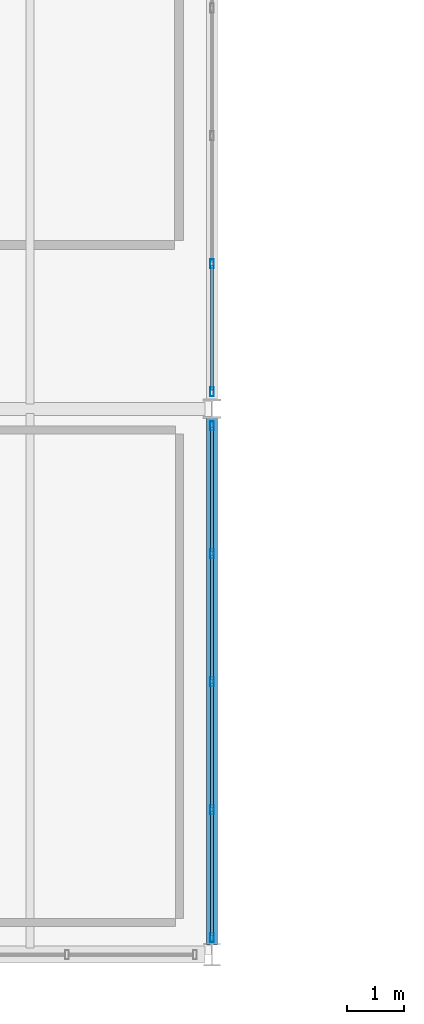
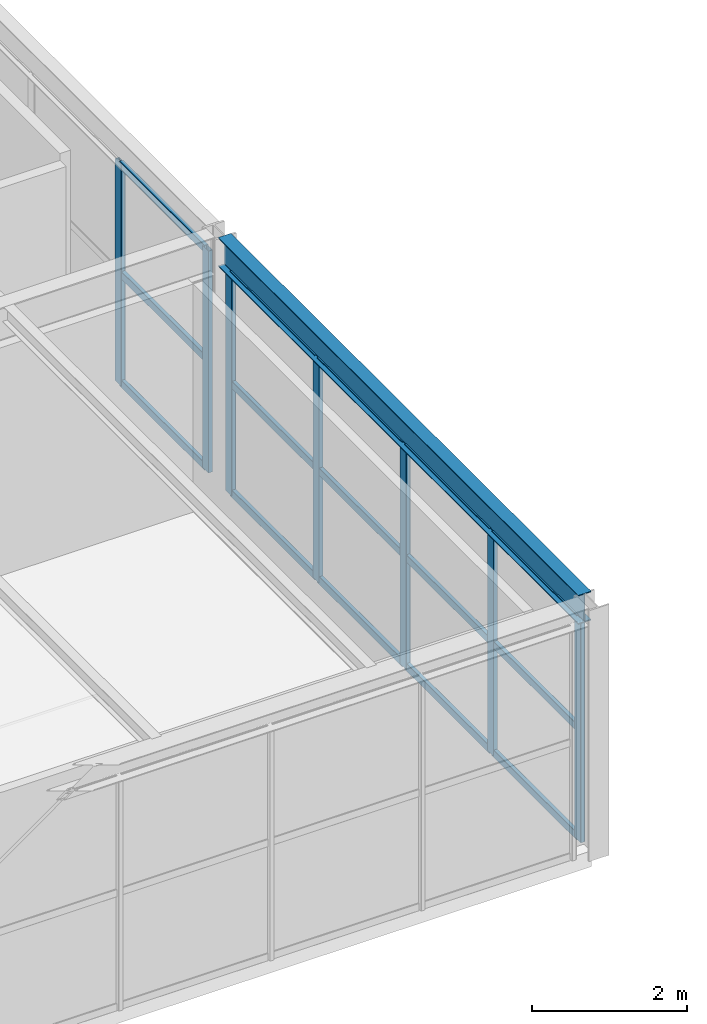
# One storey, part 53 of 126: 22 members, 1 beam, 2 elements without a shape of their own.
"""IFC4 building model written with IfcOpenShell, lengths in metres."""

from ifc_helpers import new_model, si_unit, direction, frame, origin, origin_2d, place, context, subcontext, project, spatial, hollow_rectangle, i_section, extrude, material, material_profile, profile_set, type_object, element, aggregate, save


model = new_model("IFC4")

# Units and contexts
model_context = context("Model", 3, precision=1e-05, world=origin(), true_north=direction((0.0, 1.0)))
body_context = subcontext(model_context, "Body", "Model", "MODEL_VIEW")
ifc_project = project(units=[si_unit("LENGTHUNIT", "METRE"), si_unit("AREAUNIT", "SQUARE_METRE"), si_unit("VOLUMEUNIT", "CUBIC_METRE"), si_unit("PLANEANGLEUNIT", "RADIAN"), si_unit("MASSUNIT", "GRAM", prefix="KILO")], contexts=[model_context])

# Site, building, storey
site_placement = place(None, origin())
site = spatial("IfcSite", under=ifc_project, at=site_placement, CompositionType="ELEMENT")
building_placement = place(site_placement, origin())
building = spatial("IfcBuilding", under=site, at=building_placement, Name="Coralgate Yard Interchange", CompositionType="ELEMENT")
storey_placement = place(building_placement, frame((0.0, 0.0, 10.5)))
storey = spatial("IfcBuildingStorey", under=building, at=storey_placement, Name="L02", CompositionType="ELEMENT", Elevation=10.5)

# Beam
ifc_material_1 = material(Name="Structural steel S355J2", Category="steel")
ifc_material_profile_1 = material_profile(ifc_material_1, i_section(OverallWidth=0.1904296875, OverallDepth=0.45703125, WebThickness=0.009033203125, FlangeThickness=0.014404296875, FilletRadius=0.01025390625, at=origin_2d()), Name="UB 457x191x74")
ifc_profile_set_1 = profile_set([ifc_material_profile_1], Name="Structural steel S355J2")
beam_type = type_object("IfcBeamType", Name="BM-SB-2", PredefinedType="BEAM", material=ifc_profile_set_1)
beam_placement = place(storey_placement, frame((96.0, 0.169921875, 3.721435546875), z_axis=(0.0, 1.0, 0.0), x_axis=(-1.0, 0.0, 0.0)))
element("IfcBeam", 1, at=beam_placement, inside=storey, type_object=beam_type, Name="L02 primary grid girder X10 Y0-1", PredefinedType="BEAM", context=body_context, shape_type="SweptSolid", body=[
    extrude(i_section(OverallWidth=0.1904296875, OverallDepth=0.45703125, WebThickness=0.009033203125, FlangeThickness=0.014404296875, FilletRadius=0.01025390625, at=origin_2d()), origin(), (0.0, 0.0, 1.0), 9.2900390625),
])

# Curtain wall, members
ifc_material_2 = material(Name="Anodised coastal aluminium and solar-control low-E glass", Category="aluminium")
curtain_wall_type = type_object("IfcCurtainWallType", Name="CW-CW-L02-A", PredefinedType="NOTDEFINED", material=ifc_material_2)
curtain_wall_1_placement = place(storey_placement, origin())
curtain_wall_1 = element("IfcCurtainWall", 2, at=curtain_wall_1_placement, inside=storey, type_object=curtain_wall_type, Name="L02 unitised curtain wall CW-L02-E-09-00", PredefinedType="NOTDEFINED")
ifc_material_3 = material(Name="Anodised coastal aluminium 6063-T6", Category="aluminium")
ifc_material_profile_2 = material_profile(ifc_material_3, hollow_rectangle(XDim=0.06494140625, YDim=0.159912109375, WallThickness=0.00390625, InnerFilletRadius=0.00390625, OuterFilletRadius=0.008056640625, at=origin_2d()), Name="ALU 65x160x4")
ifc_profile_set_2 = profile_set([ifc_material_profile_2], Name="Anodised coastal aluminium 6063-T6")
member_type_1 = type_object("IfcMemberType", Name="MB-MUL-160", PredefinedType="MULLION", material=ifc_profile_set_2)
member_1_placement = place(storey_placement, frame((96.0, 9.300048828125, 0.0), z_axis=(0.0, 0.0, 1.0), x_axis=(1.0, 0.0, 0.0)))
member_1 = element("IfcMember", 3, at=member_1_placement, type_object=member_type_1, Name="CW-L02-E-09-00 vertical mullion 1", PredefinedType="MULLION", context=body_context, shape_type="SweptSolid", body=[
    extrude(hollow_rectangle(XDim=0.06494140625, YDim=0.159912109375, WallThickness=0.00390625, InnerFilletRadius=0.00390625, OuterFilletRadius=0.008056640625, at=origin_2d()), origin(), (0.0, 0.0, 1.0), 3.492919921875),
])
member_2_placement = place(storey_placement, frame((96.0, 7.050048828125, 0.0), z_axis=(0.0, 0.0, 1.0), x_axis=(1.0, 0.0, 0.0)))
member_2 = element("IfcMember", 4, at=member_2_placement, type_object=member_type_1, Name="CW-L02-E-09-00 vertical mullion 2", PredefinedType="MULLION", context=body_context, shape_type="SweptSolid", body=[
    extrude(hollow_rectangle(XDim=0.06494140625, YDim=0.159912109375, WallThickness=0.00390625, InnerFilletRadius=0.00390625, OuterFilletRadius=0.008056640625, at=origin_2d()), origin(), (0.0, 0.0, 1.0), 3.492919921875),
])
member_3_placement = place(storey_placement, frame((96.0, 4.800048828125, 0.0), z_axis=(0.0, 0.0, 1.0), x_axis=(1.0, 0.0, 0.0)))
member_3 = element("IfcMember", 5, at=member_3_placement, type_object=member_type_1, Name="CW-L02-E-09-00 vertical mullion 3", PredefinedType="MULLION", context=body_context, shape_type="SweptSolid", body=[
    extrude(hollow_rectangle(XDim=0.06494140625, YDim=0.159912109375, WallThickness=0.00390625, InnerFilletRadius=0.00390625, OuterFilletRadius=0.008056640625, at=origin_2d()), origin(), (0.0, 0.0, 1.0), 3.492919921875),
])
member_4_placement = place(storey_placement, frame((96.0, 2.550048828125, 0.0), z_axis=(0.0, 0.0, 1.0), x_axis=(1.0, 0.0, 0.0)))
member_4 = element("IfcMember", 6, at=member_4_placement, type_object=member_type_1, Name="CW-L02-E-09-00 vertical mullion 4", PredefinedType="MULLION", context=body_context, shape_type="SweptSolid", body=[
    extrude(hollow_rectangle(XDim=0.06494140625, YDim=0.159912109375, WallThickness=0.00390625, InnerFilletRadius=0.00390625, OuterFilletRadius=0.008056640625, at=origin_2d()), origin(), (0.0, 0.0, 1.0), 3.492919921875),
])
member_5_placement = place(storey_placement, frame((96.0, 0.300048828125, 0.0), z_axis=(0.0, 0.0, 1.0), x_axis=(1.0, 0.0, 0.0)))
member_5 = element("IfcMember", 7, at=member_5_placement, type_object=member_type_1, Name="CW-L02-E-09-00 vertical mullion 5", PredefinedType="MULLION", context=body_context, shape_type="SweptSolid", body=[
    extrude(hollow_rectangle(XDim=0.06494140625, YDim=0.159912109375, WallThickness=0.00390625, InnerFilletRadius=0.00390625, OuterFilletRadius=0.008056640625, at=origin_2d()), origin(), (0.0, 0.0, 1.0), 3.492919921875),
])

curtain_wall_2_placement = place(storey_placement, origin())
curtain_wall_2 = element("IfcCurtainWall", 8, at=curtain_wall_2_placement, inside=storey, type_object=curtain_wall_type, Name="L02 unitised curtain wall CW-L02-E-09-01", PredefinedType="NOTDEFINED")
member_6_placement = place(storey_placement, frame((96.0, 12.14990234375, 0.0), z_axis=(0.0, 0.0, 1.0), x_axis=(1.0, 0.0, 0.0)))
member_6 = element("IfcMember", 9, at=member_6_placement, type_object=member_type_1, Name="CW-L02-E-09-01 vertical mullion 4", PredefinedType="MULLION", context=body_context, shape_type="SweptSolid", body=[
    extrude(hollow_rectangle(XDim=0.06494140625, YDim=0.159912109375, WallThickness=0.00390625, InnerFilletRadius=0.00390625, OuterFilletRadius=0.008056640625, at=origin_2d()), origin(), (0.0, 0.0, 1.0), 3.492919921875),
])
member_7_placement = place(storey_placement, frame((96.0, 9.89990234375, 0.0), z_axis=(0.0, 0.0, 1.0), x_axis=(1.0, 0.0, 0.0)))
member_7 = element("IfcMember", 10, at=member_7_placement, type_object=member_type_1, Name="CW-L02-E-09-01 vertical mullion 5", PredefinedType="MULLION", context=body_context, shape_type="SweptSolid", body=[
    extrude(hollow_rectangle(XDim=0.06494140625, YDim=0.159912109375, WallThickness=0.00390625, InnerFilletRadius=0.00390625, OuterFilletRadius=0.008056640625, at=origin_2d()), origin(), (0.0, 0.0, 1.0), 3.492919921875),
])

# Member
ifc_material_profile_3 = material_profile(ifc_material_3, hollow_rectangle(XDim=0.06005859375, YDim=0.1201171875, WallThickness=0.00341796875, InnerFilletRadius=0.00341796875, OuterFilletRadius=0.007080078125, at=origin_2d()), Name="ALU 60x120x3.5")
ifc_profile_set_3 = profile_set([ifc_material_profile_3], Name="Anodised coastal aluminium 6063-T6")
member_type_2 = type_object("IfcMemberType", Name="MB-TRN-120", PredefinedType="USERDEFINED", material=ifc_profile_set_3)
member_8_placement = place(storey_placement, frame((96.0, 9.27001953125, 0.034912109375), z_axis=(0.0, -1.0, 0.0), x_axis=(1.0, 0.0, 0.0)))
member_8 = element("IfcMember", 11, at=member_8_placement, type_object=member_type_2, Name="CW-L02-E-09-00 horizontal transom 1-1", ObjectType="TRANSOM", PredefinedType="USERDEFINED", context=body_context, shape_type="SweptSolid", body=[
    extrude(hollow_rectangle(XDim=0.06005859375, YDim=0.1201171875, WallThickness=0.00341796875, InnerFilletRadius=0.00341796875, OuterFilletRadius=0.007080078125, at=origin_2d()), origin(), (0.0, 0.0, 1.0), 2.18994140625),
])

member_9_placement = place(storey_placement, frame((96.0, 9.27001953125, 1.74658203125), z_axis=(0.0, -1.0, 0.0), x_axis=(1.0, 0.0, 0.0)))
member_9 = element("IfcMember", 12, at=member_9_placement, type_object=member_type_2, Name="CW-L02-E-09-00 horizontal transom 1-2", ObjectType="TRANSOM", PredefinedType="USERDEFINED", context=body_context, shape_type="SweptSolid", body=[
    extrude(hollow_rectangle(XDim=0.06005859375, YDim=0.1201171875, WallThickness=0.00341796875, InnerFilletRadius=0.00341796875, OuterFilletRadius=0.007080078125, at=origin_2d()), origin(), (0.0, 0.0, 1.0), 2.18994140625),
])

member_10_placement = place(storey_placement, frame((96.0, 9.27001953125, 3.4580078125), z_axis=(0.0, -1.0, 0.0), x_axis=(1.0, 0.0, 0.0)))
member_10 = element("IfcMember", 13, at=member_10_placement, type_object=member_type_2, Name="CW-L02-E-09-00 horizontal transom 1-3", ObjectType="TRANSOM", PredefinedType="USERDEFINED", context=body_context, shape_type="SweptSolid", body=[
    extrude(hollow_rectangle(XDim=0.06005859375, YDim=0.1201171875, WallThickness=0.00341796875, InnerFilletRadius=0.00341796875, OuterFilletRadius=0.007080078125, at=origin_2d()), origin(), (0.0, 0.0, 1.0), 2.18994140625),
])

member_11_placement = place(storey_placement, frame((96.0, 7.02001953125, 0.034912109375), z_axis=(0.0, -1.0, 0.0), x_axis=(1.0, 0.0, 0.0)))
member_11 = element("IfcMember", 14, at=member_11_placement, type_object=member_type_2, Name="CW-L02-E-09-00 horizontal transom 2-1", ObjectType="TRANSOM", PredefinedType="USERDEFINED", context=body_context, shape_type="SweptSolid", body=[
    extrude(hollow_rectangle(XDim=0.06005859375, YDim=0.1201171875, WallThickness=0.00341796875, InnerFilletRadius=0.00341796875, OuterFilletRadius=0.007080078125, at=origin_2d()), origin(), (0.0, 0.0, 1.0), 2.18994140625),
])

member_12_placement = place(storey_placement, frame((96.0, 7.02001953125, 1.74658203125), z_axis=(0.0, -1.0, 0.0), x_axis=(1.0, 0.0, 0.0)))
member_12 = element("IfcMember", 15, at=member_12_placement, type_object=member_type_2, Name="CW-L02-E-09-00 horizontal transom 2-2", ObjectType="TRANSOM", PredefinedType="USERDEFINED", context=body_context, shape_type="SweptSolid", body=[
    extrude(hollow_rectangle(XDim=0.06005859375, YDim=0.1201171875, WallThickness=0.00341796875, InnerFilletRadius=0.00341796875, OuterFilletRadius=0.007080078125, at=origin_2d()), origin(), (0.0, 0.0, 1.0), 2.18994140625),
])

member_13_placement = place(storey_placement, frame((96.0, 7.02001953125, 3.4580078125), z_axis=(0.0, -1.0, 0.0), x_axis=(1.0, 0.0, 0.0)))
member_13 = element("IfcMember", 16, at=member_13_placement, type_object=member_type_2, Name="CW-L02-E-09-00 horizontal transom 2-3", ObjectType="TRANSOM", PredefinedType="USERDEFINED", context=body_context, shape_type="SweptSolid", body=[
    extrude(hollow_rectangle(XDim=0.06005859375, YDim=0.1201171875, WallThickness=0.00341796875, InnerFilletRadius=0.00341796875, OuterFilletRadius=0.007080078125, at=origin_2d()), origin(), (0.0, 0.0, 1.0), 2.18994140625),
])

member_14_placement = place(storey_placement, frame((96.0, 4.77001953125, 0.034912109375), z_axis=(0.0, -1.0, 0.0), x_axis=(1.0, 0.0, 0.0)))
member_14 = element("IfcMember", 17, at=member_14_placement, type_object=member_type_2, Name="CW-L02-E-09-00 horizontal transom 3-1", ObjectType="TRANSOM", PredefinedType="USERDEFINED", context=body_context, shape_type="SweptSolid", body=[
    extrude(hollow_rectangle(XDim=0.06005859375, YDim=0.1201171875, WallThickness=0.00341796875, InnerFilletRadius=0.00341796875, OuterFilletRadius=0.007080078125, at=origin_2d()), origin(), (0.0, 0.0, 1.0), 2.18994140625),
])

member_15_placement = place(storey_placement, frame((96.0, 4.77001953125, 1.74658203125), z_axis=(0.0, -1.0, 0.0), x_axis=(1.0, 0.0, 0.0)))
member_15 = element("IfcMember", 18, at=member_15_placement, type_object=member_type_2, Name="CW-L02-E-09-00 horizontal transom 3-2", ObjectType="TRANSOM", PredefinedType="USERDEFINED", context=body_context, shape_type="SweptSolid", body=[
    extrude(hollow_rectangle(XDim=0.06005859375, YDim=0.1201171875, WallThickness=0.00341796875, InnerFilletRadius=0.00341796875, OuterFilletRadius=0.007080078125, at=origin_2d()), origin(), (0.0, 0.0, 1.0), 2.18994140625),
])

member_16_placement = place(storey_placement, frame((96.0, 4.77001953125, 3.4580078125), z_axis=(0.0, -1.0, 0.0), x_axis=(1.0, 0.0, 0.0)))
member_16 = element("IfcMember", 19, at=member_16_placement, type_object=member_type_2, Name="CW-L02-E-09-00 horizontal transom 3-3", ObjectType="TRANSOM", PredefinedType="USERDEFINED", context=body_context, shape_type="SweptSolid", body=[
    extrude(hollow_rectangle(XDim=0.06005859375, YDim=0.1201171875, WallThickness=0.00341796875, InnerFilletRadius=0.00341796875, OuterFilletRadius=0.007080078125, at=origin_2d()), origin(), (0.0, 0.0, 1.0), 2.18994140625),
])

member_17_placement = place(storey_placement, frame((96.0, 2.52001953125, 0.034912109375), z_axis=(0.0, -1.0, 0.0), x_axis=(1.0, 0.0, 0.0)))
member_17 = element("IfcMember", 20, at=member_17_placement, type_object=member_type_2, Name="CW-L02-E-09-00 horizontal transom 4-1", ObjectType="TRANSOM", PredefinedType="USERDEFINED", context=body_context, shape_type="SweptSolid", body=[
    extrude(hollow_rectangle(XDim=0.06005859375, YDim=0.1201171875, WallThickness=0.00341796875, InnerFilletRadius=0.00341796875, OuterFilletRadius=0.007080078125, at=origin_2d()), origin(), (0.0, 0.0, 1.0), 2.18994140625),
])

member_18_placement = place(storey_placement, frame((96.0, 2.52001953125, 1.74658203125), z_axis=(0.0, -1.0, 0.0), x_axis=(1.0, 0.0, 0.0)))
member_18 = element("IfcMember", 21, at=member_18_placement, type_object=member_type_2, Name="CW-L02-E-09-00 horizontal transom 4-2", ObjectType="TRANSOM", PredefinedType="USERDEFINED", context=body_context, shape_type="SweptSolid", body=[
    extrude(hollow_rectangle(XDim=0.06005859375, YDim=0.1201171875, WallThickness=0.00341796875, InnerFilletRadius=0.00341796875, OuterFilletRadius=0.007080078125, at=origin_2d()), origin(), (0.0, 0.0, 1.0), 2.18994140625),
])

member_19_placement = place(storey_placement, frame((96.0, 2.52001953125, 3.4580078125), z_axis=(0.0, -1.0, 0.0), x_axis=(1.0, 0.0, 0.0)))
member_19 = element("IfcMember", 22, at=member_19_placement, type_object=member_type_2, Name="CW-L02-E-09-00 horizontal transom 4-3", ObjectType="TRANSOM", PredefinedType="USERDEFINED", context=body_context, shape_type="SweptSolid", body=[
    extrude(hollow_rectangle(XDim=0.06005859375, YDim=0.1201171875, WallThickness=0.00341796875, InnerFilletRadius=0.00341796875, OuterFilletRadius=0.007080078125, at=origin_2d()), origin(), (0.0, 0.0, 1.0), 2.18994140625),
])

aggregate(curtain_wall_1, [member_1, member_2, member_3, member_4, member_5, member_8, member_9, member_10, member_11, member_12, member_13, member_14, member_15, member_16, member_17, member_18, member_19])

member_20_placement = place(storey_placement, frame((96.0, 12.1201171875, 0.034912109375), z_axis=(0.0, -1.0, 0.0), x_axis=(1.0, 0.0, 0.0)))
member_20 = element("IfcMember", 23, at=member_20_placement, type_object=member_type_2, Name="CW-L02-E-09-01 horizontal transom 4-1", ObjectType="TRANSOM", PredefinedType="USERDEFINED", context=body_context, shape_type="SweptSolid", body=[
    extrude(hollow_rectangle(XDim=0.06005859375, YDim=0.1201171875, WallThickness=0.00341796875, InnerFilletRadius=0.00341796875, OuterFilletRadius=0.007080078125, at=origin_2d()), origin(), (0.0, 0.0, 1.0), 2.190185546875),
])

member_21_placement = place(storey_placement, frame((96.0, 12.1201171875, 1.74658203125), z_axis=(0.0, -1.0, 0.0), x_axis=(1.0, 0.0, 0.0)))
member_21 = element("IfcMember", 24, at=member_21_placement, type_object=member_type_2, Name="CW-L02-E-09-01 horizontal transom 4-2", ObjectType="TRANSOM", PredefinedType="USERDEFINED", context=body_context, shape_type="SweptSolid", body=[
    extrude(hollow_rectangle(XDim=0.06005859375, YDim=0.1201171875, WallThickness=0.00341796875, InnerFilletRadius=0.00341796875, OuterFilletRadius=0.007080078125, at=origin_2d()), origin(), (0.0, 0.0, 1.0), 2.190185546875),
])

member_22_placement = place(storey_placement, frame((96.0, 12.1201171875, 3.4580078125), z_axis=(0.0, -1.0, 0.0), x_axis=(1.0, 0.0, 0.0)))
member_22 = element("IfcMember", 25, at=member_22_placement, type_object=member_type_2, Name="CW-L02-E-09-01 horizontal transom 4-3", ObjectType="TRANSOM", PredefinedType="USERDEFINED", context=body_context, shape_type="SweptSolid", body=[
    extrude(hollow_rectangle(XDim=0.06005859375, YDim=0.1201171875, WallThickness=0.00341796875, InnerFilletRadius=0.00341796875, OuterFilletRadius=0.007080078125, at=origin_2d()), origin(), (0.0, 0.0, 1.0), 2.190185546875),
])

aggregate(curtain_wall_2, [member_6, member_7, member_20, member_21, member_22])

save(model, "model.ifc")
